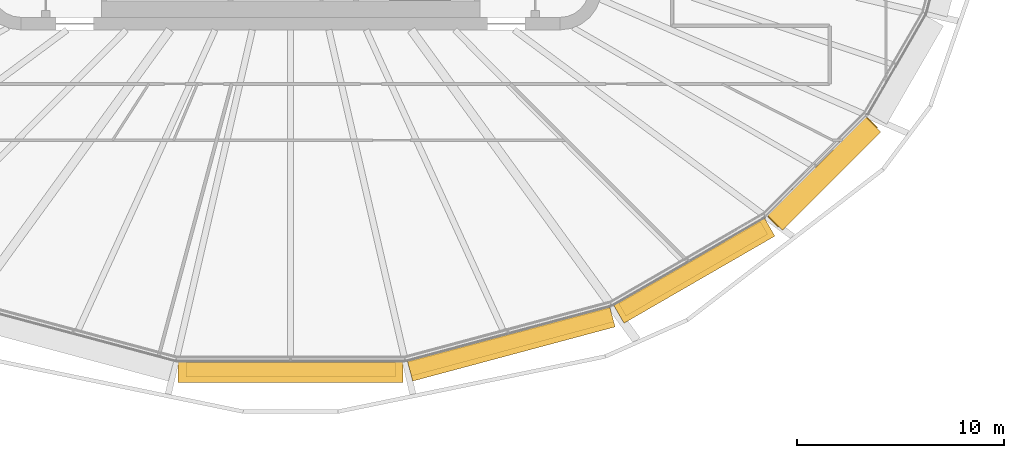
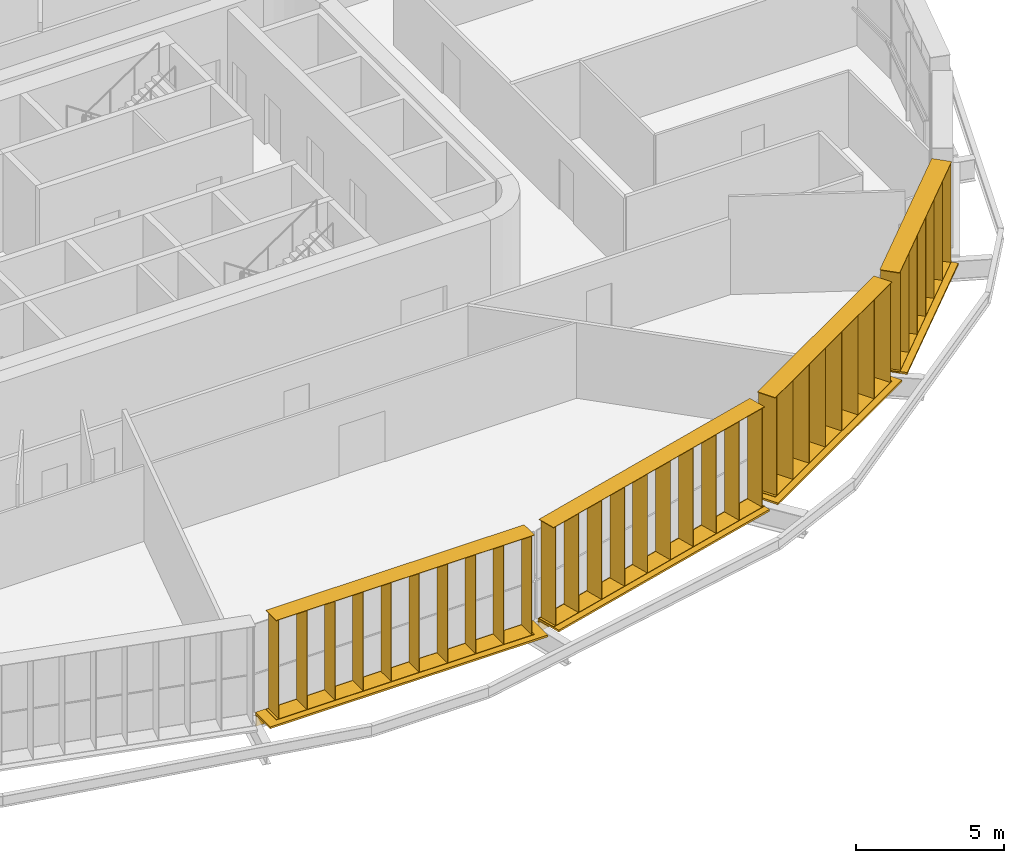
# One storey, part 22 of 25: 8 shading devices.
"""IFC4 building model written with IfcOpenShell, lengths in metres."""

from ifc_helpers import new_model, si_unit, direction, frame, origin, origin_2d, place, context, subcontext, project, spatial, rectangle, extrude, material, type_object, element, save


model = new_model("IFC4")

# Units and contexts
model_context = context("Model", 3, precision=1e-05, world=origin(), true_north=direction((0.0, 1.0)))
body_context = subcontext(model_context, "Body", "Model", "MODEL_VIEW")
ifc_project = project(units=[si_unit("LENGTHUNIT", "METRE"), si_unit("AREAUNIT", "SQUARE_METRE"), si_unit("VOLUMEUNIT", "CUBIC_METRE"), si_unit("PLANEANGLEUNIT", "RADIAN"), si_unit("MASSUNIT", "GRAM", prefix="KILO")], contexts=[model_context])

# Site, building, storey
site_placement = place(None, origin())
site = spatial("IfcSite", under=ifc_project, at=site_placement, CompositionType="ELEMENT")
building_placement = place(site_placement, origin())
building = spatial("IfcBuilding", under=site, at=building_placement, Name="Sahrelin Media Tower", CompositionType="ELEMENT")
storey_placement = place(building_placement, frame((0.0, 0.0, 110.39990234375)))
storey = spatial("IfcBuildingStorey", under=building, at=storey_placement, Name="L21", CompositionType="ELEMENT", Elevation=110.39990234375)

# Shading devices
ifc_material = material(Name="Champagne anodised aluminium 6063-T6", Category="aluminium")
shading_device_type_1 = type_object("IfcShadingDeviceType", Name="Fin cassette", PredefinedType="USERDEFINED", material=ifc_material)
placement_1 = place(storey_placement, frame((0.0, -23.97705078125, 0.0), z_axis=(0.0, 0.0, 1.0), x_axis=(-1.0, 0.0, 0.0)))
element("IfcShadingDevice", 1, at=placement_1, inside=storey, type_object=shading_device_type_1, Name="L21:FIN:L21-18", ObjectType="FIN", PredefinedType="USERDEFINED", context=body_context, shape_type="SweptSolid", body=[
    extrude(rectangle(XDim=10.10009765625, YDim=0.699951171875, at=origin_2d()), frame((0.0, 0.419921875, 0.0)), (0.0, 0.0, 1.0), 0.02001953125),
    extrude(rectangle(XDim=10.10009765625, YDim=0.699951171875, at=origin_2d()), frame((0.0, 0.419921875, 4.10009765625)), (0.0, 0.0, 1.0), 0.02001953125),
    extrude(rectangle(XDim=0.02001953125, YDim=0.699951171875, at=origin_2d()), frame((-4.949951171875, 0.419921875, 0.010009765625), z_axis=(0.0, 0.0, 1.0), x_axis=(1.0, 0.0, 0.0)), (0.0, 0.0, 1.0), 4.10009765625),
    extrude(rectangle(XDim=0.02001953125, YDim=0.699951171875, at=origin_2d()), frame((-3.85009765625, 0.419921875, 0.010009765625), z_axis=(0.0, 0.0, 1.0), x_axis=(1.0, 0.0, 0.0)), (0.0, 0.0, 1.0), 4.10009765625),
    extrude(rectangle(XDim=0.02001953125, YDim=0.699951171875, at=origin_2d()), frame((-2.75, 0.419921875, 0.010009765625), z_axis=(0.0, 0.0, 1.0), x_axis=(1.0, 0.0, 0.0)), (0.0, 0.0, 1.0), 4.10009765625),
    extrude(rectangle(XDim=0.02001953125, YDim=0.699951171875, at=origin_2d()), frame((-1.64990234375, 0.419921875, 0.010009765625), z_axis=(0.0, 0.0, 1.0), x_axis=(1.0, 0.0, 0.0)), (0.0, 0.0, 1.0), 4.10009765625),
    extrude(rectangle(XDim=0.02001953125, YDim=0.699951171875, at=origin_2d()), frame((-0.550048828125, 0.419921875, 0.010009765625), z_axis=(0.0, 0.0, 1.0), x_axis=(1.0, 0.0, 0.0)), (0.0, 0.0, 1.0), 4.10009765625),
    extrude(rectangle(XDim=0.02001953125, YDim=0.699951171875, at=origin_2d()), frame((0.550048828125, 0.419921875, 0.010009765625), z_axis=(0.0, 0.0, 1.0), x_axis=(1.0, 0.0, 0.0)), (0.0, 0.0, 1.0), 4.10009765625),
    extrude(rectangle(XDim=0.02001953125, YDim=0.699951171875, at=origin_2d()), frame((1.64990234375, 0.419921875, 0.010009765625), z_axis=(0.0, 0.0, 1.0), x_axis=(1.0, 0.0, 0.0)), (0.0, 0.0, 1.0), 4.10009765625),
    extrude(rectangle(XDim=0.02001953125, YDim=0.699951171875, at=origin_2d()), frame((2.75, 0.419921875, 0.010009765625), z_axis=(0.0, 0.0, 1.0), x_axis=(1.0, 0.0, 0.0)), (0.0, 0.0, 1.0), 4.10009765625),
    extrude(rectangle(XDim=0.02001953125, YDim=0.699951171875, at=origin_2d()), frame((3.85009765625, 0.419921875, 0.010009765625), z_axis=(0.0, 0.0, 1.0), x_axis=(1.0, 0.0, 0.0)), (0.0, 0.0, 1.0), 4.10009765625),
    extrude(rectangle(XDim=0.02001953125, YDim=0.699951171875, at=origin_2d()), frame((4.949951171875, 0.419921875, 0.010009765625), z_axis=(0.0, 0.0, 1.0), x_axis=(1.0, 0.0, 0.0)), (0.0, 0.0, 1.0), 4.10009765625),
])
placement_2 = place(storey_placement, frame((10.50732421875, -22.643798828125, 0.0), z_axis=(0.0, 0.0, 1.0), x_axis=(-0.965928857556, -0.258807731996, 0.0)))
element("IfcShadingDevice", 2, at=placement_2, inside=storey, type_object=shading_device_type_1, Name="L21:FIN:L21-19", ObjectType="FIN", PredefinedType="USERDEFINED", context=body_context, shape_type="SweptSolid", body=[
    extrude(rectangle(XDim=10.10009765625, YDim=0.699951171875, at=origin_2d()), frame((0.0, 0.419921875, 0.0)), (0.0, 0.0, 1.0), 0.02001953125),
    extrude(rectangle(XDim=10.10009765625, YDim=0.699951171875, at=origin_2d()), frame((0.0, 0.419921875, 4.10009765625)), (0.0, 0.0, 1.0), 0.02001953125),
    extrude(rectangle(XDim=0.02001953125, YDim=0.699951171875, at=origin_2d()), frame((-4.949951171875, 0.419921875, 0.010009765625), z_axis=(0.0, 0.0, 1.0), x_axis=(1.0, 0.0, 0.0)), (0.0, 0.0, 1.0), 4.10009765625),
    extrude(rectangle(XDim=0.02001953125, YDim=0.699951171875, at=origin_2d()), frame((-3.85009765625, 0.419921875, 0.010009765625), z_axis=(0.0, 0.0, 1.0), x_axis=(1.0, 0.0, 0.0)), (0.0, 0.0, 1.0), 4.10009765625),
    extrude(rectangle(XDim=0.02001953125, YDim=0.699951171875, at=origin_2d()), frame((-2.75, 0.419921875, 0.010009765625), z_axis=(0.0, 0.0, 1.0), x_axis=(1.0, 0.0, 0.0)), (0.0, 0.0, 1.0), 4.10009765625),
    extrude(rectangle(XDim=0.02001953125, YDim=0.699951171875, at=origin_2d()), frame((-1.64990234375, 0.419921875, 0.010009765625), z_axis=(0.0, 0.0, 1.0), x_axis=(1.0, 0.0, 0.0)), (0.0, 0.0, 1.0), 4.10009765625),
    extrude(rectangle(XDim=0.02001953125, YDim=0.699951171875, at=origin_2d()), frame((-0.550048828125, 0.419921875, 0.010009765625), z_axis=(0.0, 0.0, 1.0), x_axis=(1.0, 0.0, 0.0)), (0.0, 0.0, 1.0), 4.10009765625),
    extrude(rectangle(XDim=0.02001953125, YDim=0.699951171875, at=origin_2d()), frame((0.550048828125, 0.419921875, 0.010009765625), z_axis=(0.0, 0.0, 1.0), x_axis=(1.0, 0.0, 0.0)), (0.0, 0.0, 1.0), 4.10009765625),
    extrude(rectangle(XDim=0.02001953125, YDim=0.699951171875, at=origin_2d()), frame((1.64990234375, 0.419921875, 0.010009765625), z_axis=(0.0, 0.0, 1.0), x_axis=(1.0, 0.0, 0.0)), (0.0, 0.0, 1.0), 4.10009765625),
    extrude(rectangle(XDim=0.02001953125, YDim=0.699951171875, at=origin_2d()), frame((2.75, 0.419921875, 0.010009765625), z_axis=(0.0, 0.0, 1.0), x_axis=(1.0, 0.0, 0.0)), (0.0, 0.0, 1.0), 4.10009765625),
    extrude(rectangle(XDim=0.02001953125, YDim=0.699951171875, at=origin_2d()), frame((3.85009765625, 0.419921875, 0.010009765625), z_axis=(0.0, 0.0, 1.0), x_axis=(1.0, 0.0, 0.0)), (0.0, 0.0, 1.0), 4.10009765625),
    extrude(rectangle(XDim=0.02001953125, YDim=0.699951171875, at=origin_2d()), frame((4.949951171875, 0.419921875, 0.010009765625), z_axis=(0.0, 0.0, 1.0), x_axis=(1.0, 0.0, 0.0)), (0.0, 0.0, 1.0), 4.10009765625),
])
placement_3 = place(storey_placement, frame((19.20751953125, -19.160400390625, 0.0), z_axis=(0.0, 0.0, 1.0), x_axis=(-0.866019052629, -0.500011000363, 0.0)))
element("IfcShadingDevice", 3, at=placement_3, inside=storey, type_object=shading_device_type_1, Name="L21:FIN:L21-20", ObjectType="FIN", PredefinedType="USERDEFINED", context=body_context, shape_type="SweptSolid", body=[
    extrude(rectangle(XDim=7.89990234375, YDim=0.699951171875, at=origin_2d()), frame((0.0, 0.419921875, 0.0)), (0.0, 0.0, 1.0), 0.02001953125),
    extrude(rectangle(XDim=7.89990234375, YDim=0.699951171875, at=origin_2d()), frame((0.0, 0.419921875, 4.10009765625)), (0.0, 0.0, 1.0), 0.02001953125),
    extrude(rectangle(XDim=0.02001953125, YDim=0.699951171875, at=origin_2d()), frame((-3.85009765625, 0.419921875, 0.010009765625), z_axis=(0.0, 0.0, 1.0), x_axis=(1.0, 0.0, 0.0)), (0.0, 0.0, 1.0), 4.10009765625),
    extrude(rectangle(XDim=0.02001953125, YDim=0.699951171875, at=origin_2d()), frame((-2.75, 0.419921875, 0.010009765625), z_axis=(0.0, 0.0, 1.0), x_axis=(1.0, 0.0, 0.0)), (0.0, 0.0, 1.0), 4.10009765625),
    extrude(rectangle(XDim=0.02001953125, YDim=0.699951171875, at=origin_2d()), frame((-1.64990234375, 0.419921875, 0.010009765625), z_axis=(0.0, 0.0, 1.0), x_axis=(1.0, 0.0, 0.0)), (0.0, 0.0, 1.0), 4.10009765625),
    extrude(rectangle(XDim=0.02001953125, YDim=0.699951171875, at=origin_2d()), frame((-0.550048828125, 0.419921875, 0.010009765625), z_axis=(0.0, 0.0, 1.0), x_axis=(1.0, 0.0, 0.0)), (0.0, 0.0, 1.0), 4.10009765625),
    extrude(rectangle(XDim=0.02001953125, YDim=0.699951171875, at=origin_2d()), frame((0.550048828125, 0.419921875, 0.010009765625), z_axis=(0.0, 0.0, 1.0), x_axis=(1.0, 0.0, 0.0)), (0.0, 0.0, 1.0), 4.10009765625),
    extrude(rectangle(XDim=0.02001953125, YDim=0.699951171875, at=origin_2d()), frame((1.64990234375, 0.419921875, 0.010009765625), z_axis=(0.0, 0.0, 1.0), x_axis=(1.0, 0.0, 0.0)), (0.0, 0.0, 1.0), 4.10009765625),
    extrude(rectangle(XDim=0.02001953125, YDim=0.699951171875, at=origin_2d()), frame((2.75, 0.419921875, 0.010009765625), z_axis=(0.0, 0.0, 1.0), x_axis=(1.0, 0.0, 0.0)), (0.0, 0.0, 1.0), 4.10009765625),
    extrude(rectangle(XDim=0.02001953125, YDim=0.699951171875, at=origin_2d()), frame((3.85009765625, 0.419921875, 0.010009765625), z_axis=(0.0, 0.0, 1.0), x_axis=(1.0, 0.0, 0.0)), (0.0, 0.0, 1.0), 4.10009765625),
])
placement_4 = place(storey_placement, frame((25.371337890625, -14.5703125, 0.0), z_axis=(0.0, 0.0, 1.0), x_axis=(-0.707106781187, -0.707106781187, 0.0)))
element("IfcShadingDevice", 4, at=placement_4, inside=storey, type_object=shading_device_type_1, Name="L21:FIN:L21-21", ObjectType="FIN", PredefinedType="USERDEFINED", context=body_context, shape_type="SweptSolid", body=[
    extrude(rectangle(XDim=6.800048828125, YDim=0.699951171875, at=origin_2d()), frame((0.0, 0.419921875, 0.0)), (0.0, 0.0, 1.0), 0.02001953125),
    extrude(rectangle(XDim=6.800048828125, YDim=0.699951171875, at=origin_2d()), frame((0.0, 0.419921875, 4.10009765625)), (0.0, 0.0, 1.0), 0.02001953125),
    extrude(rectangle(XDim=0.02001953125, YDim=0.699951171875, at=origin_2d()), frame((-3.300048828125, 0.419921875, 0.010009765625), z_axis=(0.0, 0.0, 1.0), x_axis=(1.0, 0.0, 0.0)), (0.0, 0.0, 1.0), 4.10009765625),
    extrude(rectangle(XDim=0.02001953125, YDim=0.699951171875, at=origin_2d()), frame((-2.199951171875, 0.419921875, 0.010009765625), z_axis=(0.0, 0.0, 1.0), x_axis=(1.0, 0.0, 0.0)), (0.0, 0.0, 1.0), 4.10009765625),
    extrude(rectangle(XDim=0.02001953125, YDim=0.699951171875, at=origin_2d()), frame((-1.10009765625, 0.419921875, 0.010009765625), z_axis=(0.0, 0.0, 1.0), x_axis=(1.0, 0.0, 0.0)), (0.0, 0.0, 1.0), 4.10009765625),
    extrude(rectangle(XDim=0.02001953125, YDim=0.699951171875, at=origin_2d()), frame((0.0, 0.419921875, 0.010009765625), z_axis=(0.0, 0.0, 1.0), x_axis=(1.0, 0.0, 0.0)), (0.0, 0.0, 1.0), 4.10009765625),
    extrude(rectangle(XDim=0.02001953125, YDim=0.699951171875, at=origin_2d()), frame((1.10009765625, 0.419921875, 0.010009765625), z_axis=(0.0, 0.0, 1.0), x_axis=(1.0, 0.0, 0.0)), (0.0, 0.0, 1.0), 4.10009765625),
    extrude(rectangle(XDim=0.02001953125, YDim=0.699951171875, at=origin_2d()), frame((2.199951171875, 0.419921875, 0.010009765625), z_axis=(0.0, 0.0, 1.0), x_axis=(1.0, 0.0, 0.0)), (0.0, 0.0, 1.0), 4.10009765625),
    extrude(rectangle(XDim=0.02001953125, YDim=0.699951171875, at=origin_2d()), frame((3.300048828125, 0.419921875, 0.010009765625), z_axis=(0.0, 0.0, 1.0), x_axis=(1.0, 0.0, 0.0)), (0.0, 0.0, 1.0), 4.10009765625),
])
shading_device_type_2 = type_object("IfcShadingDeviceType", Name="Sunshade band", PredefinedType="USERDEFINED", material=ifc_material)
element("IfcShadingDevice", 5, at=placement_1, inside=storey, type_object=shading_device_type_2, Name="L21:SUN:L21-18", ObjectType="SUNSHADE", PredefinedType="USERDEFINED", context=body_context, shape_type="SweptSolid", body=[
    extrude(rectangle(XDim=10.86181640625, YDim=0.050048828125, at=origin_2d()), frame((0.0, 0.044921875, -0.55126953125)), (0.0, 0.0, 1.0), 0.471435546875),
    extrude(rectangle(XDim=10.86181640625, YDim=1.0, at=origin_2d()), frame((0.0, 0.52001953125, -0.080078125)), (0.0, 0.0, 1.0), 0.080078125),
    extrude(rectangle(XDim=0.10009765625, YDim=0.074951171875, at=origin_2d()), frame((-5.330810546875, -0.017578125, -0.47021484375)), (0.0, 0.0, 1.0), 0.300048828125),
    extrude(rectangle(XDim=0.10009765625, YDim=0.074951171875, at=origin_2d()), frame((-3.553955078125, -0.017578125, -0.47021484375)), (0.0, 0.0, 1.0), 0.300048828125),
    extrude(rectangle(XDim=0.10009765625, YDim=0.074951171875, at=origin_2d()), frame((-1.777099609375, -0.017578125, -0.47021484375)), (0.0, 0.0, 1.0), 0.300048828125),
    extrude(rectangle(XDim=0.10009765625, YDim=0.074951171875, at=origin_2d()), frame((0.0, -0.017578125, -0.47021484375)), (0.0, 0.0, 1.0), 0.300048828125),
    extrude(rectangle(XDim=0.10009765625, YDim=0.074951171875, at=origin_2d()), frame((1.777099609375, -0.017578125, -0.47021484375)), (0.0, 0.0, 1.0), 0.300048828125),
    extrude(rectangle(XDim=0.10009765625, YDim=0.074951171875, at=origin_2d()), frame((3.553955078125, -0.017578125, -0.47021484375)), (0.0, 0.0, 1.0), 0.300048828125),
    extrude(rectangle(XDim=0.10009765625, YDim=0.074951171875, at=origin_2d()), frame((5.330810546875, -0.017578125, -0.47021484375)), (0.0, 0.0, 1.0), 0.300048828125),
])
element("IfcShadingDevice", 6, at=placement_2, inside=storey, type_object=shading_device_type_2, Name="L21:SUN:L21-19", ObjectType="SUNSHADE", PredefinedType="USERDEFINED", context=body_context, shape_type="SweptSolid", body=[
    extrude(rectangle(XDim=10.103759765625, YDim=0.050048828125, at=origin_2d()), frame((0.0, 0.044921875, -0.55126953125)), (0.0, 0.0, 1.0), 0.471435546875),
    extrude(rectangle(XDim=10.103759765625, YDim=1.0, at=origin_2d()), frame((0.0, 0.52001953125, -0.080078125)), (0.0, 0.0, 1.0), 0.080078125),
    extrude(rectangle(XDim=0.10009765625, YDim=0.074951171875, at=origin_2d()), frame((-4.951904296875, -0.017578125, -0.47021484375)), (0.0, 0.0, 1.0), 0.300048828125),
    extrude(rectangle(XDim=0.10009765625, YDim=0.074951171875, at=origin_2d()), frame((-3.30126953125, -0.017578125, -0.47021484375)), (0.0, 0.0, 1.0), 0.300048828125),
    extrude(rectangle(XDim=0.10009765625, YDim=0.074951171875, at=origin_2d()), frame((-1.650634765625, -0.017578125, -0.47021484375)), (0.0, 0.0, 1.0), 0.300048828125),
    extrude(rectangle(XDim=0.10009765625, YDim=0.074951171875, at=origin_2d()), frame((0.0, -0.017578125, -0.47021484375)), (0.0, 0.0, 1.0), 0.300048828125),
    extrude(rectangle(XDim=0.10009765625, YDim=0.074951171875, at=origin_2d()), frame((1.650634765625, -0.017578125, -0.47021484375)), (0.0, 0.0, 1.0), 0.300048828125),
    extrude(rectangle(XDim=0.10009765625, YDim=0.074951171875, at=origin_2d()), frame((3.30126953125, -0.017578125, -0.47021484375)), (0.0, 0.0, 1.0), 0.300048828125),
    extrude(rectangle(XDim=0.10009765625, YDim=0.074951171875, at=origin_2d()), frame((4.951904296875, -0.017578125, -0.47021484375)), (0.0, 0.0, 1.0), 0.300048828125),
])
element("IfcShadingDevice", 7, at=placement_3, inside=storey, type_object=shading_device_type_2, Name="L21:SUN:L21-20", ObjectType="SUNSHADE", PredefinedType="USERDEFINED", context=body_context, shape_type="SweptSolid", body=[
    extrude(rectangle(XDim=8.39990234375, YDim=0.050048828125, at=origin_2d()), frame((0.0, 0.044921875, -0.55126953125)), (0.0, 0.0, 1.0), 0.471435546875),
    extrude(rectangle(XDim=8.39990234375, YDim=1.0, at=origin_2d()), frame((0.0, 0.52001953125, -0.080078125)), (0.0, 0.0, 1.0), 0.080078125),
    extrude(rectangle(XDim=0.10009765625, YDim=0.074951171875, at=origin_2d()), frame((-4.10009765625, -0.017578125, -0.47021484375)), (0.0, 0.0, 1.0), 0.300048828125),
    extrude(rectangle(XDim=0.10009765625, YDim=0.074951171875, at=origin_2d()), frame((-2.4599609375, -0.017578125, -0.47021484375)), (0.0, 0.0, 1.0), 0.300048828125),
    extrude(rectangle(XDim=0.10009765625, YDim=0.074951171875, at=origin_2d()), frame((-0.820068359375, -0.017578125, -0.47021484375)), (0.0, 0.0, 1.0), 0.300048828125),
    extrude(rectangle(XDim=0.10009765625, YDim=0.074951171875, at=origin_2d()), frame((0.820068359375, -0.017578125, -0.47021484375)), (0.0, 0.0, 1.0), 0.300048828125),
    extrude(rectangle(XDim=0.10009765625, YDim=0.074951171875, at=origin_2d()), frame((2.4599609375, -0.017578125, -0.47021484375)), (0.0, 0.0, 1.0), 0.300048828125),
    extrude(rectangle(XDim=0.10009765625, YDim=0.074951171875, at=origin_2d()), frame((4.10009765625, -0.017578125, -0.47021484375)), (0.0, 0.0, 1.0), 0.300048828125),
])
element("IfcShadingDevice", 8, at=placement_4, inside=storey, type_object=shading_device_type_2, Name="L21:SUN:L21-21", ObjectType="SUNSHADE", PredefinedType="USERDEFINED", context=body_context, shape_type="SweptSolid", body=[
    extrude(rectangle(XDim=6.701416015625, YDim=0.050048828125, at=origin_2d()), frame((0.0, 0.044921875, -0.55126953125)), (0.0, 0.0, 1.0), 0.471435546875),
    extrude(rectangle(XDim=6.701416015625, YDim=1.0, at=origin_2d()), frame((0.0, 0.52001953125, -0.080078125)), (0.0, 0.0, 1.0), 0.080078125),
    extrude(rectangle(XDim=0.10009765625, YDim=0.074951171875, at=origin_2d()), frame((-3.250732421875, -0.017578125, -0.47021484375)), (0.0, 0.0, 1.0), 0.300048828125),
    extrude(rectangle(XDim=0.10009765625, YDim=0.074951171875, at=origin_2d()), frame((-1.625244140625, -0.017578125, -0.47021484375)), (0.0, 0.0, 1.0), 0.300048828125),
    extrude(rectangle(XDim=0.10009765625, YDim=0.074951171875, at=origin_2d()), frame((0.0, -0.017578125, -0.47021484375)), (0.0, 0.0, 1.0), 0.300048828125),
    extrude(rectangle(XDim=0.10009765625, YDim=0.074951171875, at=origin_2d()), frame((1.625244140625, -0.017578125, -0.47021484375)), (0.0, 0.0, 1.0), 0.300048828125),
    extrude(rectangle(XDim=0.10009765625, YDim=0.074951171875, at=origin_2d()), frame((3.250732421875, -0.017578125, -0.47021484375)), (0.0, 0.0, 1.0), 0.300048828125),
])

save(model, "model.ifc")
